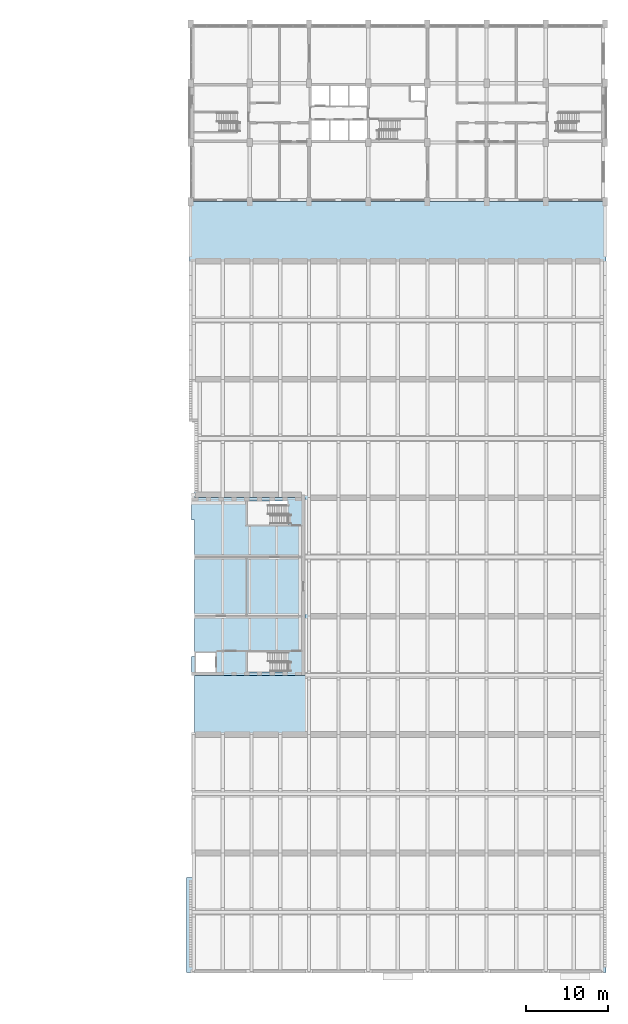
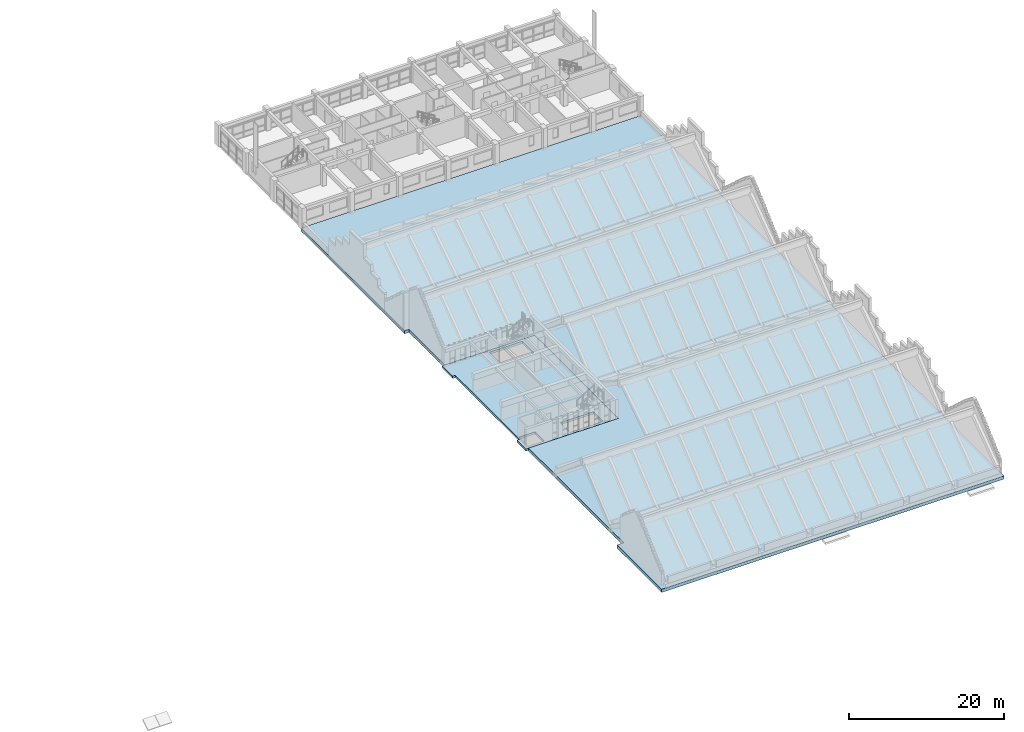
# One storey, part 18 of 31: 2 slabs.
"""IFC4 building model written with IfcOpenShell, lengths in metres."""

from ifc_helpers import new_model, si_unit, direction, frame, origin, place, context, subcontext, project, spatial, polyline, outline, extrude, material, layer, layer_set, type_object, element, save


model = new_model("IFC4")

# Units and contexts
model_context = context("Model", 3, precision=1e-05, world=origin(), true_north=direction((0.0, 1.0)))
body_context = subcontext(model_context, "Body", "Model", "MODEL_VIEW")
ifc_project = project(units=[si_unit("LENGTHUNIT", "METRE"), si_unit("AREAUNIT", "SQUARE_METRE"), si_unit("VOLUMEUNIT", "CUBIC_METRE"), si_unit("PLANEANGLEUNIT", "RADIAN"), si_unit("MASSUNIT", "GRAM", prefix="KILO")], contexts=[model_context])

# Site, building, storey
site_placement = place(None, origin())
site = spatial("IfcSite", under=ifc_project, at=site_placement, CompositionType="ELEMENT")
building_placement = place(site_placement, origin())
building = spatial("IfcBuilding", under=site, at=building_placement, Name="Vermilion Court Aquatics Centre", CompositionType="ELEMENT")
storey_placement = place(building_placement, frame((0.0, 0.0, 16.5)))
storey = spatial("IfcBuildingStorey", under=building, at=storey_placement, Name="L03", CompositionType="ELEMENT", Elevation=16.5)

# Slabs
ifc_material_1 = material(Name="Concrete 8000 psi", Category="concrete")
ifc_layer_1 = layer(ifc_material_1, 0.35009765625)
ifc_layer_set_1 = layer_set([ifc_layer_1], Name="Diving Tower floor slab 350")
slab_type_1 = type_object("IfcSlabType", Name="Diving Tower floor slab 350", PredefinedType="FLOOR", material=ifc_layer_set_1)
slab_1_placement = place(storey_placement, frame((0.0, 0.0, -0.35009765625)))
element("IfcSlab", 1, at=slab_1_placement, inside=storey, type_object=slab_type_1, Name="Diving Tower floor slab L03", PredefinedType="FLOOR", context=body_context, shape_type="SweptSolid", body=[
    extrude(outline(polyline([(144.110107421875, 36.0), (157.89990234375, 36.0), (157.89990234375, 57.60009765625), (144.110107421875, 57.60009765625), (144.110107421875, 54.89990234375), (144.5, 54.89990234375), (144.5, 38.300048828125), (144.110107421875, 38.300048828125), (144.110107421875, 36.0)]), holes=[polyline([(144.64990234375, 36.39990234375), (147.050048828125, 36.39990234375), (147.050048828125, 38.72509765625), (144.64990234375, 38.72509765625), (144.64990234375, 36.39990234375)]), polyline([(150.949951171875, 36.39990234375), (155.85009765625, 36.39990234375), (155.85009765625, 38.875), (150.949951171875, 38.875), (150.949951171875, 36.39990234375)]), polyline([(150.949951171875, 54.27490234375), (155.85009765625, 54.27490234375), (155.85009765625, 57.199951171875), (150.949951171875, 57.199951171875), (150.949951171875, 54.27490234375)])]), origin(), (0.0, 0.0, 1.0), 0.35009765625),
])
ifc_material_2 = material(Name="Concrete 5000 psi", Category="concrete")
ifc_layer_2 = layer(ifc_material_2, 0.5)
ifc_layer_set_2 = layer_set([ifc_layer_2], Name="Podium roof slab 500")
slab_type_2 = type_object("IfcSlabType", Name="Podium roof slab 500", PredefinedType="ROOF", material=ifc_layer_set_2)
slab_2_placement = place(storey_placement, frame((0.0, 0.0, -0.5)))
element("IfcSlab", 2, at=slab_2_placement, inside=storey, type_object=slab_type_2, Name="Podium roof slab", PredefinedType="ROOF", context=body_context, shape_type="SweptSolid", body=[
    extrude(outline(polyline([(143.5, -0.14990234375), (143.5, 11.39990234375), (144.5, 11.39990234375), (144.5, 36.0), (157.89990234375, 36.0), (157.89990234375, 57.60009765625), (144.5, 57.60009765625), (144.5, 66.89990234375), (143.85009765625, 66.89990234375), (143.85009765625, 93.60009765625), (194.550048828125, 93.60009765625), (194.550048828125, -0.14990234375), (143.5, -0.14990234375)])), origin(), (0.0, 0.0, 1.0), 0.5),
])

save(model, "model.ifc")
